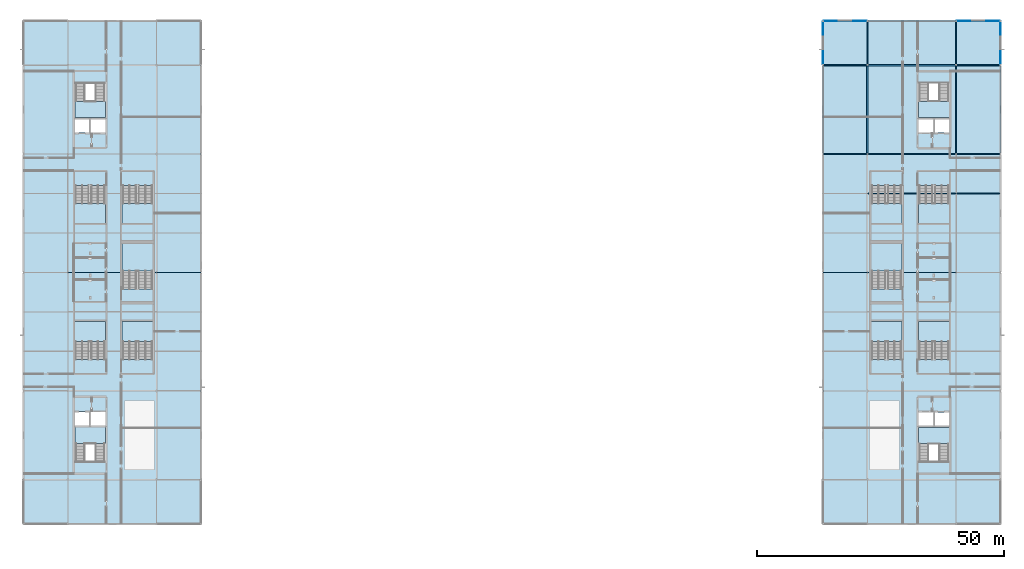
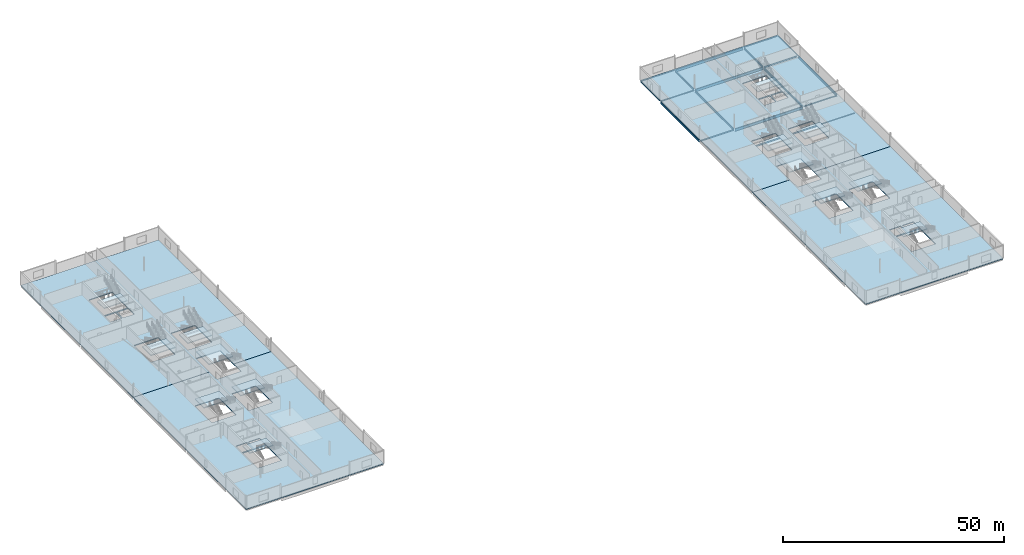
# One storey, part 13 of 31: 19 beams, 18 slabs, 14 elements without a shape of their own.
"""IFC4 building model written with IfcOpenShell, lengths in metres."""

from ifc_helpers import new_model, si_unit, direction, frame, origin, origin_2d, place, context, subcontext, project, spatial, polyline, hollow_rectangle, i_section, outline, extrude, material, layer, layer_set, material_profile, profile_set, type_object, element, aggregate, save


model = new_model("IFC4")

# Units and contexts
model_context = context("Model", 3, precision=1e-05, world=origin(), true_north=direction((0.0, 1.0)))
body_context = subcontext(model_context, "Body", "Model", "MODEL_VIEW")
ifc_project = project(units=[si_unit("LENGTHUNIT", "METRE"), si_unit("AREAUNIT", "SQUARE_METRE"), si_unit("VOLUMEUNIT", "CUBIC_METRE"), si_unit("PLANEANGLEUNIT", "RADIAN"), si_unit("MASSUNIT", "GRAM", prefix="KILO")], contexts=[model_context])

# Site, building, storey
site_placement = place(None, origin())
site = spatial("IfcSite", under=ifc_project, at=site_placement, CompositionType="ELEMENT")
building_placement = place(site_placement, origin())
building = spatial("IfcBuilding", under=site, at=building_placement, Name="Kisiwana Market Hall", CompositionType="ELEMENT")
storey_placement = place(building_placement, frame((0.0, 0.0, 45.60009765625)))
storey = spatial("IfcBuildingStorey", under=building, at=storey_placement, Name="L10", CompositionType="ELEMENT", Elevation=45.60009765625)

# Beams
ifc_material_1 = material(Name="Steel S355", Category="steel")
ifc_material_profile_1 = material_profile(ifc_material_1, i_section(OverallWidth=0.179931640625, OverallDepth=0.39990234375, WebThickness=0.008544921875, FlangeThickness=0.013427734375, FilletRadius=0.02099609375, at=origin_2d()), Name="IPE 400")
ifc_profile_set_1 = profile_set([ifc_material_profile_1], Name="Steel S355")
beam_type_1 = type_object("IfcBeamType", Name="BM-GIRD-IPE400", PredefinedType="BEAM", material=ifc_profile_set_1)
beam_1_placement = place(storey_placement, frame((162.150634765625, 84.0, -0.445068359375), z_axis=(1.0, 0.0, 0.0), x_axis=(0.0, 1.0, 0.0)))
element("IfcBeam", 1, at=beam_1_placement, inside=storey, type_object=beam_type_1, Name="Floor beam B-2405", PredefinedType="BEAM", context=body_context, shape_type="SweptSolid", body=[
    extrude(i_section(OverallWidth=0.179931640625, OverallDepth=0.39990234375, WebThickness=0.008544921875, FlangeThickness=0.013427734375, FilletRadius=0.02099609375, at=origin_2d()), origin(), (0.0, 0.0, 1.0), 8.696044921875),
])
ifc_material_2 = material(Name="Steel S355", Category="steel")
ifc_material_profile_2 = material_profile(ifc_material_2, i_section(OverallWidth=0.209228515625, OverallDepth=0.533203125, WebThickness=0.010009765625, FlangeThickness=0.015625, at=origin_2d()), Name="UB 533x210x92")
ifc_profile_set_2 = profile_set([ifc_material_profile_2], Name="Steel S355")
beam_type_2 = type_object("IfcBeamType", Name="BM-GIRD-UB533", PredefinedType="BEAM", material=ifc_profile_set_2)
for number, where, z_axis, x_axis, name in (
    (2, (171.0, 102.166015625, -0.51171875), (0.0, 1.0, 0.0), (-1.0, 0.0, 0.0), "Primary girder B-2353"),
    (3, (189.0, 102.166015625, -0.51171875), (0.0, 1.0, 0.0), (-1.0, 0.0, 0.0), "Primary girder B-2359"),
):
    element("IfcBeam", number, at=place(storey_placement, frame(where, z_axis=z_axis, x_axis=x_axis)), inside=storey, type_object=beam_type_2, Name=name, PredefinedType="BEAM", context=body_context, shape_type="SweptSolid", body=[
        extrude(i_section(OverallWidth=0.209228515625, OverallDepth=0.533203125, WebThickness=0.010009765625, FlangeThickness=0.015625, at=origin_2d()), origin(), (0.0, 0.0, 1.0), 8.66796875),
    ])
ifc_material_3 = material(Name="Steel S355", Category="steel")
ifc_material_profile_3 = material_profile(ifc_material_3, i_section(OverallWidth=0.22900390625, OverallDepth=0.6123046875, WebThickness=0.011962890625, FlangeThickness=0.01953125, at=origin_2d()), Name="UB 610x229x125")
ifc_profile_set_3 = profile_set([ifc_material_profile_3], Name="Steel S355")
beam_type_3 = type_object("IfcBeamType", Name="BM-GIRD-UB610H", PredefinedType="BEAM", material=ifc_profile_set_3)
for number, where, z_axis, x_axis, name in (
    (4, (162.0, 84.15625, -0.55126953125), (0.0, 1.0, 0.0), (-1.0, 0.0, 0.0), "Floor beam B-2434"),
    (5, (198.0, 84.15625, -0.55126953125), (0.0, 1.0, 0.0), (-1.0, 0.0, 0.0), "Floor beam B-2442"),
):
    element("IfcBeam", number, at=place(storey_placement, frame(where, z_axis=z_axis, x_axis=x_axis)), inside=storey, type_object=beam_type_3, Name=name, PredefinedType="BEAM", context=body_context, shape_type="SweptSolid", body=[
        extrude(i_section(OverallWidth=0.22900390625, OverallDepth=0.6123046875, WebThickness=0.011962890625, FlangeThickness=0.01953125, at=origin_2d()), origin(), (0.0, 0.0, 1.0), 17.6875),
    ])
for number, where, z_axis, x_axis, name in (
    (6, (171.0, 84.166015625, -0.55126953125), (0.0, 1.0, 0.0), (-1.0, 0.0, 0.0), "Primary girder B-2352"),
    (7, (189.0, 84.166015625, -0.55126953125), (0.0, 1.0, 0.0), (-1.0, 0.0, 0.0), "Primary girder B-2358"),
):
    element("IfcBeam", number, at=place(storey_placement, frame(where, z_axis=z_axis, x_axis=x_axis)), inside=storey, type_object=beam_type_3, Name=name, PredefinedType="BEAM", context=body_context, shape_type="SweptSolid", body=[
        extrude(i_section(OverallWidth=0.22900390625, OverallDepth=0.6123046875, WebThickness=0.011962890625, FlangeThickness=0.01953125, at=origin_2d()), origin(), (0.0, 0.0, 1.0), 17.66796875),
    ])
ifc_material_4 = material(Name="Steel S355", Category="steel")
ifc_material_profile_4 = material_profile(ifc_material_4, i_section(OverallWidth=0.2666015625, OverallDepth=0.76220703125, WebThickness=0.014404296875, FlangeThickness=0.021484375, at=origin_2d()), Name="UB 762x267x173")
ifc_profile_set_4 = profile_set([ifc_material_profile_4], Name="Steel S355")
beam_type_4 = type_object("IfcBeamType", Name="BM-GIRD-UB762", PredefinedType="BEAM", material=ifc_profile_set_4)
for number, where, z_axis, x_axis, name in (
    (8, (171.1533203125, 84.0, -0.626220703125), (1.0, 0.0, 0.0), (0.0, 1.0, 0.0), "Floor beam B-2406"),
    (9, (171.1533203125, 102.0, -0.626220703125), (1.0, 0.0, 0.0), (0.0, 1.0, 0.0), "Floor beam B-2412"),
    (10, (171.1533203125, 111.0, -0.626220703125), (1.0, 0.0, 0.0), (0.0, 1.0, 0.0), "Floor beam B-2418"),
):
    element("IfcBeam", number, at=place(storey_placement, frame(where, z_axis=z_axis, x_axis=x_axis)), inside=storey, type_object=beam_type_4, Name=name, PredefinedType="BEAM", context=body_context, shape_type="SweptSolid", body=[
        extrude(i_section(OverallWidth=0.2666015625, OverallDepth=0.76220703125, WebThickness=0.014404296875, FlangeThickness=0.021484375, at=origin_2d()), origin(), (0.0, 0.0, 1.0), 17.693359375),
    ])
ifc_material_5 = material(Name="Steel S355", Category="steel")
ifc_material_profile_5 = material_profile(ifc_material_5, i_section(OverallWidth=0.159912109375, OverallDepth=0.330078125, WebThickness=0.007568359375, FlangeThickness=0.011474609375, FilletRadius=0.01806640625, at=origin_2d()), Name="IPE 330")
ifc_profile_set_5 = profile_set([ifc_material_profile_5], Name="Steel S355")
beam_type_5 = type_object("IfcBeamType", Name="BM-JOIST-IPE330", PredefinedType="JOIST", material=ifc_profile_set_5)
beam_2_placement = place(storey_placement, frame((189.1533203125, 84.0, -0.41015625), z_axis=(1.0, 0.0, 0.0), x_axis=(0.0, 1.0, 0.0)))
element("IfcBeam", 11, at=beam_2_placement, inside=storey, type_object=beam_type_5, Name="Floor beam B-2407", PredefinedType="JOIST", context=body_context, shape_type="SweptSolid", body=[
    extrude(i_section(OverallWidth=0.159912109375, OverallDepth=0.330078125, WebThickness=0.007568359375, FlangeThickness=0.011474609375, FilletRadius=0.01806640625, at=origin_2d()), origin(), (0.0, 0.0, 1.0), 8.696044921875),
])
ifc_material_6 = material(Name="Steel S355", Category="steel")
ifc_material_profile_6 = material_profile(ifc_material_6, i_section(OverallWidth=0.169921875, OverallDepth=0.360107421875, WebThickness=0.008056640625, FlangeThickness=0.0126953125, FilletRadius=0.01806640625, at=origin_2d()), Name="IPE 360")
ifc_profile_set_6 = profile_set([ifc_material_profile_6], Name="Steel S355")
beam_type_6 = type_object("IfcBeamType", Name="BM-JOIST-IPE360", PredefinedType="JOIST", material=ifc_profile_set_6)
beam_3_placement = place(storey_placement, frame((162.150634765625, 102.0, -0.425048828125), z_axis=(1.0, 0.0, 0.0), x_axis=(0.0, 1.0, 0.0)))
element("IfcBeam", 12, at=beam_3_placement, inside=storey, type_object=beam_type_6, Name="Floor beam B-2411", PredefinedType="JOIST", context=body_context, shape_type="SweptSolid", body=[
    extrude(i_section(OverallWidth=0.169921875, OverallDepth=0.360107421875, WebThickness=0.008056640625, FlangeThickness=0.0126953125, FilletRadius=0.01806640625, at=origin_2d()), origin(), (0.0, 0.0, 1.0), 8.696044921875),
])
ifc_material_7 = material(Name="Steel S355", Category="steel")
ifc_material_profile_7 = material_profile(ifc_material_7, i_section(OverallWidth=0.165771484375, OverallDepth=0.306640625, WebThickness=0.006591796875, FlangeThickness=0.01171875, at=origin_2d()), Name="UB 305x165x46")
ifc_profile_set_7 = profile_set([ifc_material_profile_7], Name="Steel S355")
beam_type_7 = type_object("IfcBeamType", Name="BM-JOIST-UB305H", PredefinedType="JOIST", material=ifc_profile_set_7)
beam_4_placement = place(storey_placement, frame((189.113525390625, 76.0, -0.3984375), z_axis=(1.0, 0.0, 0.0), x_axis=(0.0, 1.0, 0.0)))
element("IfcBeam", 13, at=beam_4_placement, inside=storey, type_object=beam_type_7, Name="Secondary floor joist B-2383", PredefinedType="JOIST", context=body_context, shape_type="SweptSolid", body=[
    extrude(i_section(OverallWidth=0.165771484375, OverallDepth=0.306640625, WebThickness=0.006591796875, FlangeThickness=0.01171875, at=origin_2d()), origin(), (0.0, 0.0, 1.0), 8.77294921875),
])
ifc_material_8 = material(Name="Steel S355", Category="steel")
ifc_material_profile_8 = material_profile(ifc_material_8, i_section(OverallWidth=0.18994140625, OverallDepth=0.453369140625, WebThickness=0.008544921875, FlangeThickness=0.0126953125, at=origin_2d()), Name="UB 457x191x67")
ifc_profile_set_8 = profile_set([ifc_material_profile_8], Name="Steel S355")
beam_type_8 = type_object("IfcBeamType", Name="BM-JOIST-UB457", PredefinedType="JOIST", material=ifc_profile_set_8)
beam_5_placement = place(storey_placement, frame((189.1533203125, 102.0, -0.4716796875), z_axis=(1.0, 0.0, 0.0), x_axis=(0.0, 1.0, 0.0)))
element("IfcBeam", 14, at=beam_5_placement, inside=storey, type_object=beam_type_8, Name="Floor beam B-2413", PredefinedType="JOIST", context=body_context, shape_type="SweptSolid", body=[
    extrude(i_section(OverallWidth=0.18994140625, OverallDepth=0.453369140625, WebThickness=0.008544921875, FlangeThickness=0.0126953125, at=origin_2d()), origin(), (0.0, 0.0, 1.0), 8.696044921875),
])
beam_6_placement = place(storey_placement, frame((171.113525390625, 76.0, -0.4716796875), z_axis=(1.0, 0.0, 0.0), x_axis=(0.0, 1.0, 0.0)))
element("IfcBeam", 15, at=beam_6_placement, inside=storey, type_object=beam_type_8, Name="Secondary floor joist B-2382", PredefinedType="JOIST", context=body_context, shape_type="SweptSolid", body=[
    extrude(i_section(OverallWidth=0.18994140625, OverallDepth=0.453369140625, WebThickness=0.008544921875, FlangeThickness=0.0126953125, at=origin_2d()), origin(), (0.0, 0.0, 1.0), 17.77294921875),
])
ifc_material_9 = material(Name="Steel S355", Category="steel")
ifc_material_profile_9 = material_profile(ifc_material_9, hollow_rectangle(XDim=0.10009765625, YDim=0.199951171875, WallThickness=0.008056640625, at=origin_2d()), Name="RHS 200x100x8.0")
ifc_profile_set_9 = profile_set([ifc_material_profile_9], Name="Steel S355")
beam_type_9 = type_object("IfcBeamType", Name="BM-SPAN-RHS200", PredefinedType="SPANDREL", material=ifc_profile_set_9)
for number, where, z_axis, x_axis, name in (
    (16, (162.150634765625, 111.0, -0.34521484375), (1.0, 0.0, 0.0), (0.0, 1.0, 0.0), "Floor beam B-2417"),
    (17, (189.1533203125, 111.0, -0.34521484375), (1.0, 0.0, 0.0), (0.0, 1.0, 0.0), "Floor beam B-2419"),
):
    element("IfcBeam", number, at=place(storey_placement, frame(where, z_axis=z_axis, x_axis=x_axis)), inside=storey, type_object=beam_type_9, Name=name, PredefinedType="SPANDREL", context=body_context, shape_type="SweptSolid", body=[
        extrude(hollow_rectangle(XDim=0.10009765625, YDim=0.199951171875, WallThickness=0.008056640625, at=origin_2d()), origin(), (0.0, 0.0, 1.0), 8.696044921875),
    ])
for number, where, z_axis, x_axis, name in (
    (18, (162.0, 102.15625, -0.34521484375), (0.0, 1.0, 0.0), (-1.0, 0.0, 0.0), "Floor beam B-2435"),
    (19, (198.0, 102.15625, -0.34521484375), (0.0, 1.0, 0.0), (-1.0, 0.0, 0.0), "Floor beam B-2443"),
):
    element("IfcBeam", number, at=place(storey_placement, frame(where, z_axis=z_axis, x_axis=x_axis)), inside=storey, type_object=beam_type_9, Name=name, PredefinedType="SPANDREL", context=body_context, shape_type="SweptSolid", body=[
        extrude(hollow_rectangle(XDim=0.10009765625, YDim=0.199951171875, WallThickness=0.008056640625, at=origin_2d()), origin(), (0.0, 0.0, 1.0), 8.6875),
    ])

# Stair, slab
ifc_material_10 = material(Name="Concrete C32/40", Category="concrete")
stair_type_1 = type_object("IfcStairType", Name="ST-TWR-3900", PredefinedType="TWO_STRAIGHT_RUN_STAIR", material=ifc_material_10)
stair_1_placement = place(storey_placement, origin())
stair_1 = element("IfcStair", 20, at=stair_1_placement, inside=storey, type_object=stair_type_1, Name="Escape stair ST-W2-L10", PredefinedType="TWO_STRAIGHT_RUN_STAIR")
ifc_material_11 = material(Name="Concrete C32/40", Category="concrete")
ifc_layer_1 = layer(ifc_material_11, 0.239990234375)
ifc_layer_set_1 = layer_set([ifc_layer_1], Name="SL-LANDING-160")
slab_type_1 = type_object("IfcSlabType", Name="SL-LANDING-160", PredefinedType="LANDING", material=ifc_layer_set_1)
slab_1_placement = place(storey_placement, frame((0.0, 0.0, 1.7099609375)))
slab_1 = element("IfcSlab", 21, at=slab_1_placement, type_object=slab_type_1, Name="ST-W2-L10 landing 1 S-374", PredefinedType="LANDING", context=body_context, shape_type="SweptSolid", body=[
    extrude(outline(polyline([(10.405029296875, 25.333984375), (16.594970703125, 25.333984375), (16.594970703125, 28.64501953125), (10.405029296875, 28.64501953125), (10.405029296875, 25.333984375)])), origin(), (0.0, 0.0, 1.0), 0.239990234375),
])
aggregate(stair_1, [slab_1])

stair_2_placement = place(storey_placement, origin())
stair_2 = element("IfcStair", 22, at=stair_2_placement, inside=storey, type_object=stair_type_1, Name="Escape stair ST-W1-L10", PredefinedType="TWO_STRAIGHT_RUN_STAIR")
slab_2_placement = place(storey_placement, frame((0.0, 0.0, 1.7099609375)))
slab_2 = element("IfcSlab", 23, at=slab_2_placement, type_object=slab_type_1, Name="ST-W1-L10 landing 1 S-373", PredefinedType="LANDING", context=body_context, shape_type="SweptSolid", body=[
    extrude(outline(polyline([(10.405029296875, 91.35498046875), (16.594970703125, 91.35498046875), (16.594970703125, 94.666015625), (10.405029296875, 94.666015625), (10.405029296875, 91.35498046875)])), origin(), (0.0, 0.0, 1.0), 0.239990234375),
])
aggregate(stair_2, [slab_2])

stair_3_placement = place(storey_placement, origin())
stair_3 = element("IfcStair", 24, at=stair_3_placement, inside=storey, type_object=stair_type_1, Name="Escape stair ST-E2-L10", PredefinedType="TWO_STRAIGHT_RUN_STAIR")
slab_3_placement = place(storey_placement, frame((0.0, 0.0, 1.7099609375)))
slab_3 = element("IfcSlab", 25, at=slab_3_placement, type_object=slab_type_1, Name="ST-E2-L10 landing 1 S-367", PredefinedType="LANDING", context=body_context, shape_type="SweptSolid", body=[
    extrude(outline(polyline([(181.3798828125, 25.30908203125), (187.6201171875, 25.30908203125), (187.6201171875, 28.6201171875), (181.3798828125, 28.6201171875), (181.3798828125, 25.30908203125)])), origin(), (0.0, 0.0, 1.0), 0.239990234375),
])
aggregate(stair_3, [slab_3])

stair_4_placement = place(storey_placement, origin())
stair_4 = element("IfcStair", 26, at=stair_4_placement, inside=storey, type_object=stair_type_1, Name="Escape stair ST-E1-L10", PredefinedType="TWO_STRAIGHT_RUN_STAIR")
slab_4_placement = place(storey_placement, frame((0.0, 0.0, 1.7099609375)))
slab_4 = element("IfcSlab", 27, at=slab_4_placement, type_object=slab_type_1, Name="ST-E1-L10 landing 1 S-366", PredefinedType="LANDING", context=body_context, shape_type="SweptSolid", body=[
    extrude(outline(polyline([(181.3798828125, 91.3798828125), (187.6201171875, 91.3798828125), (187.6201171875, 94.69091796875), (181.3798828125, 94.69091796875), (181.3798828125, 91.3798828125)])), origin(), (0.0, 0.0, 1.0), 0.239990234375),
])
aggregate(stair_4, [slab_4])

ifc_material_12 = material(Name="Concrete C32/40", Category="concrete")
stair_type_2 = type_object("IfcStairType", Name="ST-ESC-3900", PredefinedType="TWO_STRAIGHT_RUN_STAIR", material=ifc_material_12)
stair_5_placement = place(storey_placement, origin())
stair_5 = element("IfcStair", 28, at=stair_5_placement, inside=storey, type_object=stair_type_2, Name="Escape stair ST-W3-L10", PredefinedType="TWO_STRAIGHT_RUN_STAIR")
slab_5_placement = place(storey_placement, frame((0.0, 0.0, 1.7099609375)))
slab_5 = element("IfcSlab", 29, at=slab_5_placement, type_object=slab_type_1, Name="ST-W3-L10 landing 1 S-375", PredefinedType="LANDING", context=body_context, shape_type="SweptSolid", body=[
    extrude(outline(polyline([(10.340087890625, 46.01953125), (16.659912109375, 46.01953125), (16.659912109375, 50.06005859375), (10.340087890625, 50.06005859375), (10.340087890625, 46.01953125)])), origin(), (0.0, 0.0, 1.0), 0.239990234375),
])
aggregate(stair_5, [slab_5])

stair_6_placement = place(storey_placement, origin())
stair_6 = element("IfcStair", 30, at=stair_6_placement, inside=storey, type_object=stair_type_2, Name="Escape stair ST-W4-L10", PredefinedType="TWO_STRAIGHT_RUN_STAIR")
slab_6_placement = place(storey_placement, frame((0.0, 0.0, 1.7099609375)))
slab_6 = element("IfcSlab", 31, at=slab_6_placement, type_object=slab_type_1, Name="ST-W4-L10 landing 1 S-376", PredefinedType="LANDING", context=body_context, shape_type="SweptSolid", body=[
    extrude(outline(polyline([(10.340087890625, 69.93994140625), (16.659912109375, 69.93994140625), (16.659912109375, 73.98046875), (10.340087890625, 73.98046875), (10.340087890625, 69.93994140625)])), origin(), (0.0, 0.0, 1.0), 0.239990234375),
])
aggregate(stair_6, [slab_6])

stair_7_placement = place(storey_placement, origin())
stair_7 = element("IfcStair", 32, at=stair_7_placement, inside=storey, type_object=stair_type_2, Name="Escape stair ST-E3-L10", PredefinedType="TWO_STRAIGHT_RUN_STAIR")
slab_7_placement = place(storey_placement, frame((0.0, 0.0, 1.7099609375)))
slab_7 = element("IfcSlab", 33, at=slab_7_placement, type_object=slab_type_1, Name="ST-E3-L10 landing 1 S-368", PredefinedType="LANDING", context=body_context, shape_type="SweptSolid", body=[
    extrude(outline(polyline([(181.340087890625, 46.01953125), (187.659912109375, 46.01953125), (187.659912109375, 50.06005859375), (181.340087890625, 50.06005859375), (181.340087890625, 46.01953125)])), origin(), (0.0, 0.0, 1.0), 0.239990234375),
])
aggregate(stair_7, [slab_7])

stair_8_placement = place(storey_placement, origin())
stair_8 = element("IfcStair", 34, at=stair_8_placement, inside=storey, type_object=stair_type_2, Name="Escape stair ST-E4-L10", PredefinedType="TWO_STRAIGHT_RUN_STAIR")
slab_8_placement = place(storey_placement, frame((0.0, 0.0, 1.7099609375)))
slab_8 = element("IfcSlab", 35, at=slab_8_placement, type_object=slab_type_1, Name="ST-E4-L10 landing 1 S-369", PredefinedType="LANDING", context=body_context, shape_type="SweptSolid", body=[
    extrude(outline(polyline([(181.340087890625, 69.93994140625), (187.659912109375, 69.93994140625), (187.659912109375, 73.98046875), (181.340087890625, 73.98046875), (181.340087890625, 69.93994140625)])), origin(), (0.0, 0.0, 1.0), 0.239990234375),
])
aggregate(stair_8, [slab_8])

stair_9_placement = place(storey_placement, origin())
stair_9 = element("IfcStair", 36, at=stair_9_placement, inside=storey, type_object=stair_type_2, Name="Escape stair ST-W7-L10", PredefinedType="TWO_STRAIGHT_RUN_STAIR")
slab_9_placement = place(storey_placement, frame((0.0, 0.0, 1.7099609375)))
slab_9 = element("IfcSlab", 37, at=slab_9_placement, type_object=slab_type_1, Name="ST-W7-L10 landing 1 S-378", PredefinedType="LANDING", context=body_context, shape_type="SweptSolid", body=[
    extrude(outline(polyline([(19.93994140625, 46.01953125), (26.260009765625, 46.01953125), (26.260009765625, 50.06005859375), (19.93994140625, 50.06005859375), (19.93994140625, 46.01953125)])), origin(), (0.0, 0.0, 1.0), 0.239990234375),
])
aggregate(stair_9, [slab_9])

stair_10_placement = place(storey_placement, origin())
stair_10 = element("IfcStair", 38, at=stair_10_placement, inside=storey, type_object=stair_type_2, Name="Escape stair ST-E7-L10", PredefinedType="TWO_STRAIGHT_RUN_STAIR")
slab_10_placement = place(storey_placement, frame((0.0, 0.0, 1.7099609375)))
slab_10 = element("IfcSlab", 39, at=slab_10_placement, type_object=slab_type_1, Name="ST-E7-L10 landing 1 S-371", PredefinedType="LANDING", context=body_context, shape_type="SweptSolid", body=[
    extrude(outline(polyline([(171.739990234375, 46.01953125), (178.06005859375, 46.01953125), (178.06005859375, 50.06005859375), (171.739990234375, 50.06005859375), (171.739990234375, 46.01953125)])), origin(), (0.0, 0.0, 1.0), 0.239990234375),
])
aggregate(stair_10, [slab_10])

stair_11_placement = place(storey_placement, origin())
stair_11 = element("IfcStair", 40, at=stair_11_placement, inside=storey, type_object=stair_type_2, Name="Escape stair ST-W8-L10", PredefinedType="TWO_STRAIGHT_RUN_STAIR")
slab_11_placement = place(storey_placement, frame((0.0, 0.0, 1.7099609375)))
slab_11 = element("IfcSlab", 41, at=slab_11_placement, type_object=slab_type_1, Name="ST-W8-L10 landing 1 S-379", PredefinedType="LANDING", context=body_context, shape_type="SweptSolid", body=[
    extrude(outline(polyline([(19.93994140625, 69.93994140625), (26.260009765625, 69.93994140625), (26.260009765625, 73.98046875), (19.93994140625, 73.98046875), (19.93994140625, 69.93994140625)])), origin(), (0.0, 0.0, 1.0), 0.239990234375),
])
aggregate(stair_11, [slab_11])

stair_12_placement = place(storey_placement, origin())
stair_12 = element("IfcStair", 42, at=stair_12_placement, inside=storey, type_object=stair_type_2, Name="Escape stair ST-E8-L10", PredefinedType="TWO_STRAIGHT_RUN_STAIR")
slab_12_placement = place(storey_placement, frame((0.0, 0.0, 1.7099609375)))
slab_12 = element("IfcSlab", 43, at=slab_12_placement, type_object=slab_type_1, Name="ST-E8-L10 landing 1 S-372", PredefinedType="LANDING", context=body_context, shape_type="SweptSolid", body=[
    extrude(outline(polyline([(171.739990234375, 69.93994140625), (178.06005859375, 69.93994140625), (178.06005859375, 73.98046875), (171.739990234375, 73.98046875), (171.739990234375, 69.93994140625)])), origin(), (0.0, 0.0, 1.0), 0.239990234375),
])
aggregate(stair_12, [slab_12])

stair_13_placement = place(storey_placement, origin())
stair_13 = element("IfcStair", 44, at=stair_13_placement, inside=storey, type_object=stair_type_2, Name="Escape stair ST-W5-L10", PredefinedType="TWO_STRAIGHT_RUN_STAIR")
slab_13_placement = place(storey_placement, frame((0.0, 0.0, 1.7099609375)))
slab_13 = element("IfcSlab", 45, at=slab_13_placement, type_object=slab_type_1, Name="ST-W5-L10 landing 1 S-377", PredefinedType="LANDING", context=body_context, shape_type="SweptSolid", body=[
    extrude(outline(polyline([(19.93994140625, 60.299560546875), (26.260009765625, 60.299560546875), (26.260009765625, 66.179931640625), (19.93994140625, 66.179931640625), (19.93994140625, 60.299560546875)])), origin(), (0.0, 0.0, 1.0), 0.239990234375),
])
aggregate(stair_13, [slab_13])

stair_14_placement = place(storey_placement, origin())
stair_14 = element("IfcStair", 46, at=stair_14_placement, inside=storey, type_object=stair_type_2, Name="Escape stair ST-E5-L10", PredefinedType="TWO_STRAIGHT_RUN_STAIR")
slab_14_placement = place(storey_placement, frame((0.0, 0.0, 1.7099609375)))
slab_14 = element("IfcSlab", 47, at=slab_14_placement, type_object=slab_type_1, Name="ST-E5-L10 landing 1 S-370", PredefinedType="LANDING", context=body_context, shape_type="SweptSolid", body=[
    extrude(outline(polyline([(171.739990234375, 60.299560546875), (178.06005859375, 60.299560546875), (178.06005859375, 66.179931640625), (171.739990234375, 66.179931640625), (171.739990234375, 60.299560546875)])), origin(), (0.0, 0.0, 1.0), 0.239990234375),
])
aggregate(stair_14, [slab_14])

# Slabs
ifc_material_13 = material(Name="Concrete C32/40", Category="concrete")
ifc_layer_2 = layer(ifc_material_13, 0.2451171875)
ifc_layer_set_2 = layer_set([ifc_layer_2], Name="SL-OFF-175")
slab_type_2 = type_object("IfcSlabType", Name="SL-OFF-175", PredefinedType="FLOOR", material=ifc_layer_set_2)
slab_15_placement = place(storey_placement, frame((0.0, 0.0, -0.2451171875)))
element("IfcSlab", 48, at=slab_15_placement, inside=storey, type_object=slab_type_2, Name="Structural slab S-362", PredefinedType="FLOOR", context=body_context, shape_type="SweptSolid", body=[
    extrude(outline(polyline([(0.0, 9.0), (36.0, 9.0), (36.0, 60.0), (26.239990234375, 60.0), (26.239990234375, 56.659912109375), (19.9599609375, 56.659912109375), (19.9599609375, 60.0), (0.0, 60.0), (0.0, 9.0)]), holes=[polyline([(10.425048828125, 21.675048828125), (16.574951171875, 21.675048828125), (16.574951171875, 28.625), (10.425048828125, 28.625), (10.425048828125, 21.675048828125)]), polyline([(10.425048828125, 28.945068359375), (13.340087890625, 28.945068359375), (13.340087890625, 31.675048828125), (10.425048828125, 31.675048828125), (10.425048828125, 28.945068359375)]), polyline([(13.659912109375, 28.945068359375), (16.574951171875, 28.945068359375), (16.574951171875, 31.675048828125), (13.659912109375, 31.675048828125), (13.659912109375, 28.945068359375)]), polyline([(10.360107421875, 42.3798828125), (16.639892578125, 42.3798828125), (16.639892578125, 50.0400390625), (10.360107421875, 50.0400390625), (10.360107421875, 42.3798828125)]), polyline([(19.9599609375, 42.3798828125), (26.239990234375, 42.3798828125), (26.239990234375, 50.0400390625), (19.9599609375, 50.0400390625), (19.9599609375, 42.3798828125)])]), origin(), (0.0, 0.0, 1.0), 0.2451171875),
])
slab_16_placement = place(storey_placement, frame((0.0, 0.0, -0.2451171875)))
element("IfcSlab", 49, at=slab_16_placement, inside=storey, type_object=slab_type_2, Name="Structural slab S-363", PredefinedType="FLOOR", context=body_context, shape_type="SweptSolid", body=[
    extrude(outline(polyline([(0.0, 60.0), (19.9599609375, 60.0), (19.9599609375, 66.159912109375), (26.239990234375, 66.159912109375), (26.239990234375, 60.0), (36.0, 60.0), (36.0, 111.0), (0.0, 111.0), (0.0, 60.0)]), holes=[polyline([(10.425048828125, 91.375), (16.574951171875, 91.375), (16.574951171875, 98.324951171875), (10.425048828125, 98.324951171875), (10.425048828125, 91.375)]), polyline([(10.425048828125, 88.324951171875), (13.340087890625, 88.324951171875), (13.340087890625, 91.054931640625), (10.425048828125, 91.054931640625), (10.425048828125, 88.324951171875)]), polyline([(13.659912109375, 88.324951171875), (16.574951171875, 88.324951171875), (16.574951171875, 91.054931640625), (13.659912109375, 91.054931640625), (13.659912109375, 88.324951171875)]), polyline([(10.360107421875, 69.9599609375), (16.639892578125, 69.9599609375), (16.639892578125, 77.6201171875), (10.360107421875, 77.6201171875), (10.360107421875, 69.9599609375)]), polyline([(19.9599609375, 69.9599609375), (26.239990234375, 69.9599609375), (26.239990234375, 77.6201171875), (19.9599609375, 77.6201171875), (19.9599609375, 69.9599609375)])]), origin(), (0.0, 0.0, 1.0), 0.2451171875),
])
slab_17_placement = place(storey_placement, frame((0.0, 0.0, -0.2451171875)))
element("IfcSlab", 50, at=slab_17_placement, inside=storey, type_object=slab_type_2, Name="Structural slab S-364", PredefinedType="FLOOR", context=body_context, shape_type="SweptSolid", body=[
    extrude(outline(polyline([(162.0, 9.0), (198.0, 9.0), (198.0, 60.0), (178.0400390625, 60.0), (178.0400390625, 56.659912109375), (171.760009765625, 56.659912109375), (171.760009765625, 60.0), (162.0, 60.0), (162.0, 9.0)]), holes=[polyline([(181.39990234375, 21.64990234375), (187.60009765625, 21.64990234375), (187.60009765625, 28.60009765625), (181.39990234375, 28.60009765625), (181.39990234375, 21.64990234375)]), polyline([(181.39990234375, 28.919921875), (184.340087890625, 28.919921875), (184.340087890625, 31.64990234375), (181.39990234375, 31.64990234375), (181.39990234375, 28.919921875)]), polyline([(184.659912109375, 28.919921875), (187.60009765625, 28.919921875), (187.60009765625, 31.64990234375), (184.659912109375, 31.64990234375), (184.659912109375, 28.919921875)]), polyline([(181.360107421875, 42.3798828125), (187.639892578125, 42.3798828125), (187.639892578125, 50.0400390625), (181.360107421875, 50.0400390625), (181.360107421875, 42.3798828125)]), polyline([(171.760009765625, 42.3798828125), (178.0400390625, 42.3798828125), (178.0400390625, 50.0400390625), (171.760009765625, 50.0400390625), (171.760009765625, 42.3798828125)])]), origin(), (0.0, 0.0, 1.0), 0.2451171875),
])
slab_18_placement = place(storey_placement, frame((0.0, 0.0, -0.2451171875)))
element("IfcSlab", 51, at=slab_18_placement, inside=storey, type_object=slab_type_2, Name="Structural slab S-365", PredefinedType="FLOOR", context=body_context, shape_type="SweptSolid", body=[
    extrude(outline(polyline([(162.0, 60.0), (171.760009765625, 60.0), (171.760009765625, 66.159912109375), (178.0400390625, 66.159912109375), (178.0400390625, 60.0), (198.0, 60.0), (198.0, 111.0), (162.0, 111.0), (162.0, 60.0)]), holes=[polyline([(181.39990234375, 91.39990234375), (187.60009765625, 91.39990234375), (187.60009765625, 98.35009765625), (181.39990234375, 98.35009765625), (181.39990234375, 91.39990234375)]), polyline([(181.39990234375, 88.35009765625), (184.340087890625, 88.35009765625), (184.340087890625, 91.080078125), (181.39990234375, 91.080078125), (181.39990234375, 88.35009765625)]), polyline([(184.659912109375, 88.35009765625), (187.60009765625, 88.35009765625), (187.60009765625, 91.080078125), (184.659912109375, 91.080078125), (184.659912109375, 88.35009765625)]), polyline([(181.360107421875, 69.9599609375), (187.639892578125, 69.9599609375), (187.639892578125, 77.6201171875), (181.360107421875, 77.6201171875), (181.360107421875, 69.9599609375)]), polyline([(171.760009765625, 69.9599609375), (178.0400390625, 69.9599609375), (178.0400390625, 77.6201171875), (171.760009765625, 77.6201171875), (171.760009765625, 69.9599609375)])]), origin(), (0.0, 0.0, 1.0), 0.2451171875),
])

save(model, "model.ifc")
